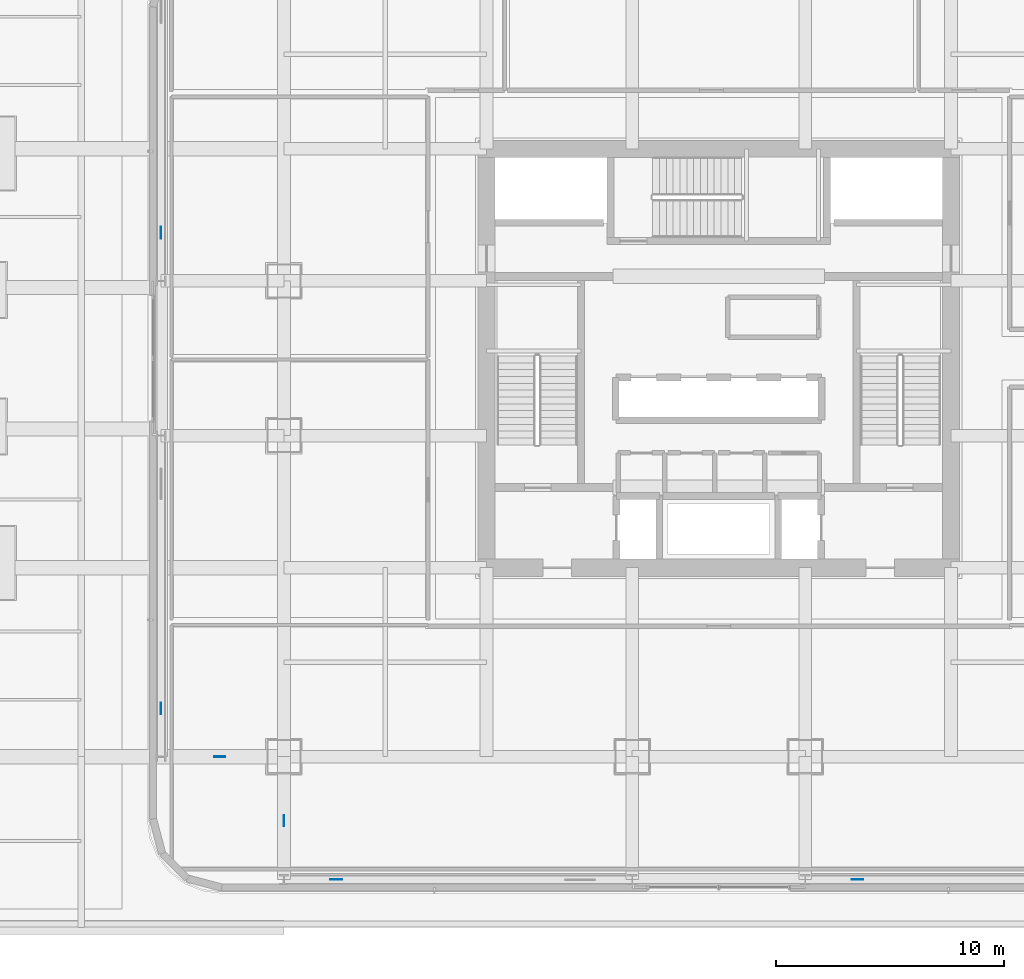
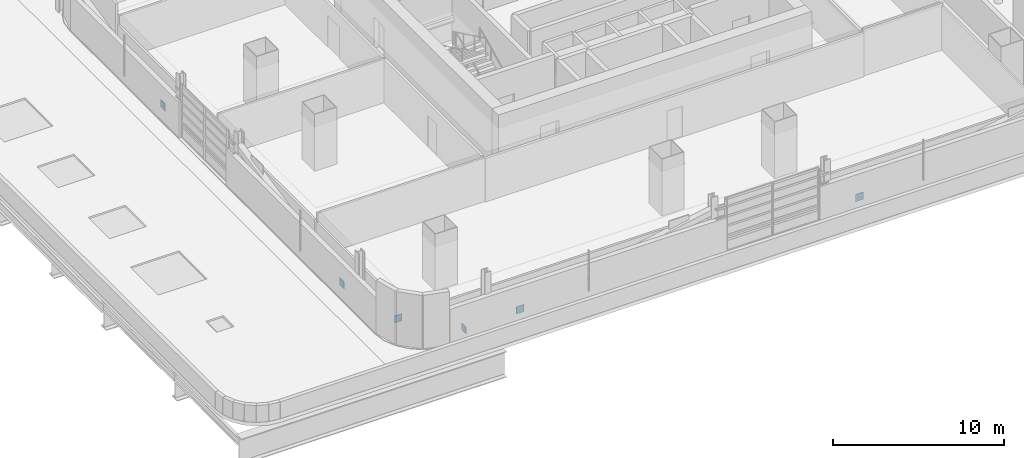
# One storey, part 11 of 30: 6 plates.
"""IFC4 building model written with IfcOpenShell, lengths in metres."""

import ifcopenshell
import ifcopenshell.guid

model = None  # the IFC model being written
_history = None  # IfcOwnerHistory: only IFC2X3 demands one
_inside = {}  # id of a spatial element -> (the spatial element, [elements in it])
_under = {}  # id of a project, library or spatial element -> (it, [spatial elements below it])
_declared = {}  # id of a project -> (the project, [libraries it declares])
_typed = {}  # id of a type object -> (the type object, [elements of that type])
_made_of = {}  # id of a material, layer set ... -> (it, [elements and type objects made of it])


def new_model(schema):
    """Start an empty IFC model of exactly this schema.

    Asked for "IFC4X3", IfcOpenShell would pick the latest addendum, in which some entities
    have other attributes; the version numbers below select the first issue.
    IFC2X3 requires an IfcOwnerHistory on every rooted entity: one is made here for all.
    """
    global model, _history
    if schema == "IFC4X3":
        model = ifcopenshell.file(schema_version=(4, 3, 0, 0))
    else:
        model = ifcopenshell.file(schema=schema)
    _inside.clear()
    _under.clear()
    _declared.clear()
    _typed.clear()
    _made_of.clear()
    _history = None
    if model.schema == "IFC2X3":
        org = make("IfcOrganization", Name="unknown")
        user = make(
            "IfcPersonAndOrganization",
            ThePerson=make("IfcPerson", FamilyName="unknown"),
            TheOrganization=org,
        )
        app = make(
            "IfcApplication",
            ApplicationDeveloper=org,
            Version="unknown",
            ApplicationFullName="unknown",
            ApplicationIdentifier="unknown",
        )
        _history = make(
            "IfcOwnerHistory",
            OwningUser=user,
            OwningApplication=app,
            ChangeAction="ADDED",
            CreationDate=0,
        )
    return model


def make(cls, **values):
    """One entity of the class cls with the attributes given. An attribute that is None is left unset."""
    return model.create_entity(
        cls, **{name: value for name, value in values.items() if value is not None}
    )


def rooted(cls, **values):
    """An entity with a GlobalId (a new one), such as an element, a storey or a relation."""
    return make(cls, GlobalId=ifcopenshell.guid.new(), OwnerHistory=_history, **values)


def si_unit(unit_type, name, prefix=None):
    """IfcSIUnit, for example si_unit("LENGTHUNIT", "METRE", prefix="MILLI")."""
    return make("IfcSIUnit", UnitType=unit_type, Prefix=prefix, Name=name)


def assignment(units):
    """IfcUnitAssignment: the units of a project."""
    return None if units is None else make("IfcUnitAssignment", Units=units)


def point(xyz):
    """IfcCartesianPoint."""
    return None if xyz is None else make("IfcCartesianPoint", Coordinates=xyz)


def direction(xyz):
    """IfcDirection."""
    return None if xyz is None else make("IfcDirection", DirectionRatios=xyz)


def frame(location, z_axis=None, x_axis=None):
    """IfcAxis2Placement3D, a coordinate frame: its origin and axes. An axis left out is left unset."""
    return make(
        "IfcAxis2Placement3D",
        Location=point(location),
        Axis=direction(z_axis),
        RefDirection=direction(x_axis),
    )


def frame_2d(location, x_axis=None):
    """IfcAxis2Placement2D, a coordinate frame in the plane: its origin and x axis."""
    return make(
        "IfcAxis2Placement2D", Location=point(location), RefDirection=direction(x_axis)
    )


def origin():
    """The frame at (0, 0, 0) with its axes left unset."""
    return frame((0.0, 0.0, 0.0))


def origin_2d():
    """The frame at (0, 0) in the plane with its x axis left unset."""
    return frame_2d((0.0, 0.0))


def place(relative_to, where):
    """IfcLocalPlacement: puts the frame where relative to a parent placement (None: the world)."""
    return make(
        "IfcLocalPlacement", PlacementRelTo=relative_to, RelativePlacement=where
    )


def context(
    kind, dimensions, precision=None, world=None, true_north=None, identifier=None
):
    """IfcGeometricRepresentationContext, for example the 3D "Model" context."""
    return make(
        "IfcGeometricRepresentationContext",
        ContextIdentifier=identifier,
        ContextType=kind,
        CoordinateSpaceDimension=dimensions,
        Precision=precision,
        WorldCoordinateSystem=world,
        TrueNorth=true_north,
    )


def subcontext(parent, identifier, kind, view, scale=None):
    """IfcGeometricRepresentationSubContext, for example "Body" below "Model"."""
    return make(
        "IfcGeometricRepresentationSubContext",
        ContextIdentifier=identifier,
        ContextType=kind,
        ParentContext=parent,
        TargetScale=scale,
        TargetView=view,
    )


def project(units=None, contexts=None):
    """IfcProject with its units and contexts."""
    return rooted(
        "IfcProject",
        Name="project",
        RepresentationContexts=contexts,
        UnitsInContext=assignment(units),
    )


def spatial(cls, under=None, at=None, **own):
    """A site, building, storey or space (cls), placed at a placement, below another one or the project."""
    s = rooted(cls, ObjectPlacement=at, **own)
    if under is not None:
        _under.setdefault(under.id(), (under, []))[1].append(s)
    return s


def profile(cls, at=None, kind="AREA", **sizes):
    """A parametric profile (cls). Its sizes go by their IFC names, for example OverallWidth=200.0."""
    return make(cls, ProfileType=kind, Position=at, **sizes)


def rectangle(**sizes):
    """IfcRectangleProfileDef."""
    return profile("IfcRectangleProfileDef", **sizes)


def extrude(swept, where, along, depth):
    """IfcExtrudedAreaSolid: the profile swept, set in the frame where, extruded along a direction by depth."""
    return make(
        "IfcExtrudedAreaSolid",
        SweptArea=swept,
        Position=where,
        ExtrudedDirection=direction(along),
        Depth=depth,
    )


def shape(context_of_items, identifier, shape_type, items):
    """IfcShapeRepresentation: the items that make up one representation, for example the "Body"."""
    return make(
        "IfcShapeRepresentation",
        ContextOfItems=context_of_items,
        RepresentationIdentifier=identifier,
        RepresentationType=shape_type,
        Items=items,
    )


def material(Name=None, Category=None):
    """IfcMaterial."""
    return make("IfcMaterial", Name=Name, Category=Category)


def layer(
    of_material, thickness, ventilated=None, Name=None, Category=None, Priority=None
):
    """IfcMaterialLayer: one layer of a wall or slab, of a material (None: an air gap)."""
    return make(
        "IfcMaterialLayer",
        Material=of_material,
        LayerThickness=thickness,
        IsVentilated=ventilated,
        Name=Name,
        Category=Category,
        Priority=Priority,
    )


def layer_set(layers, Name=None):
    """IfcMaterialLayerSet."""
    return make("IfcMaterialLayerSet", MaterialLayers=layers, LayerSetName=Name)


def made_of(thing, what):
    """Note that an element or type object is made of a material, layer set ...; save() writes the relation."""
    if what is not None:
        _made_of.setdefault(what.id(), (what, []))[1].append(thing)
    return thing


def type_object(cls, material=None, **own):
    """A type object (cls), such as IfcWallType, which elements share."""
    return made_of(rooted(cls, **own), material)


def element(
    cls,
    number,
    at=None,
    inside=None,
    cuts=None,
    type_object=None,
    material=None,
    context=None,
    identifier="Body",
    shape_type=None,
    held_by="IfcProductDefinitionShape",
    body=None,
    shapes=None,
    **own,
):
    """One element of the class cls, such as IfcWall. Its Tag is "e" and its number.

    at: its placement. inside: the storey or other place that contains it. cuts: it is an
    opening in that element (IfcRelVoidsElement). A single representation is given by context,
    identifier, shape_type and body (its items); several are given by shapes. held_by: the class
    of the entity that holds the representations. save() writes the other relations.
    """
    e = rooted(cls, Tag="e%d" % number, ObjectPlacement=at, **own)
    if body is not None:
        shapes = [shape(context, identifier, shape_type, body)]
    if shapes is not None:
        e.Representation = make(held_by, Representations=shapes)
    if inside is not None:
        _inside.setdefault(inside.id(), (inside, []))[1].append(e)
    if cuts is not None:
        rooted(
            "IfcRelVoidsElement", RelatingBuildingElement=cuts, RelatedOpeningElement=e
        )
    if type_object is not None:
        _typed.setdefault(type_object.id(), (type_object, []))[1].append(e)
    return made_of(e, material)


def aggregate(whole, parts):
    """IfcRelAggregates: a whole, such as a stair, and the parts it consists of."""
    return rooted("IfcRelAggregates", RelatingObject=whole, RelatedObjects=parts)


def save(model, path):
    """Write the relations noted so far, then the file.

    IfcRelAggregates (storeys below a building ...), IfcRelContainedInSpatialStructure (elements
    in a storey), IfcRelDefinesByType, IfcRelAssociatesMaterial and IfcRelDeclares: one each for
    every whole, place, type object, material and project.
    """
    for whole, parts in _under.values():
        aggregate(whole, parts)
    for where, things in _inside.values():
        rooted(
            "IfcRelContainedInSpatialStructure",
            RelatedElements=things,
            RelatingStructure=where,
        )
    for kind, things in _typed.values():
        rooted("IfcRelDefinesByType", RelatedObjects=things, RelatingType=kind)
    for what, things in _made_of.values():
        rooted("IfcRelAssociatesMaterial", RelatedObjects=things, RelatingMaterial=what)
    for by, libraries in _declared.values():
        rooted("IfcRelDeclares", RelatingContext=by, RelatedDefinitions=libraries)
    model.write(path)


model = new_model("IFC4")

# Units and contexts
model_context = context("Model", 3, precision=1e-05, world=origin(), true_north=direction((0.0, 1.0)))
body_context = subcontext(model_context, "Body", "Model", "MODEL_VIEW")
ifc_project = project(units=[si_unit("LENGTHUNIT", "METRE"), si_unit("AREAUNIT", "SQUARE_METRE"), si_unit("VOLUMEUNIT", "CUBIC_METRE"), si_unit("PLANEANGLEUNIT", "RADIAN"), si_unit("MASSUNIT", "GRAM", prefix="KILO")], contexts=[model_context])

# Site, building, storey
site_placement = place(None, origin())
site = spatial("IfcSite", under=ifc_project, at=site_placement, CompositionType="ELEMENT")
building_placement = place(site_placement, origin())
building = spatial("IfcBuilding", under=site, at=building_placement, Name="Punatoya Terracotta Tower", CompositionType="ELEMENT")
storey_placement = place(building_placement, frame((0.0, 0.0, 28.199951171875)))
storey = spatial("IfcBuildingStorey", under=building, at=storey_placement, Name="L05", CompositionType="ELEMENT", Elevation=28.199951171875)

# Plates
ifc_material = material(Name="Steel S460", Category="steel")
ifc_layer = layer(ifc_material, 0.031982421875)
ifc_layer_set = layer_set([ifc_layer], Name="Steel S460")
plate_type = type_object("IfcPlateType", Name="PLT-END-32", PredefinedType="USERDEFINED", material=ifc_layer_set)
for number, where, z_axis, x_axis, name in (
    (1, (-16.804931640625, -22.89990234375, 0.20849609375), (0.0, 0.0, 1.0), (1.0, 0.0, 0.0), "L05 Exoskeleton Base Node Plate S1"),
    (2, (6.094970703125, -22.89990234375, 0.20849609375), (0.0, 0.0, 1.0), (1.0, 0.0, 0.0), "L05 Exoskeleton Base Node Plate S3"),
    (3, (-24.5, -15.385009765625, 0.20849609375), (0.0, 0.0, 1.0), (0.0, 1.0, 0.0), "L05 Exoskeleton Base Node Plate W1"),
    (4, (-24.5, 5.514892578125, 0.20849609375), (0.0, 0.0, 1.0), (0.0, 1.0, 0.0), "L05 Exoskeleton Base Node Plate W3"),
):
    element("IfcPlate", number, at=place(storey_placement, frame(where, z_axis=z_axis, x_axis=x_axis)), inside=storey, type_object=plate_type, Name=name, ObjectType="FLANGE_PLATE", PredefinedType="USERDEFINED", context=body_context, shape_type="SweptSolid", body=[
        extrude(rectangle(XDim=0.52001953125, YDim=0.031982421875, at=origin_2d()), origin(), (0.0, 0.0, 1.0), 0.52001953125),
    ])
for number, where, z_axis, x_axis, name in (
    (5, (-21.916015625, -17.5, -1.91796875), (0.0, 0.0, 1.0), (1.0, 0.0, 0.0), "L05 Knee-Strut Upper End Cap Plate W1"),
    (6, (-19.10009765625, -20.31591796875, -1.91796875), (0.0, 0.0, 1.0), (0.0, 1.0, 0.0), "L05 Knee-Strut Upper End Cap Plate S1"),
):
    element("IfcPlate", number, at=place(storey_placement, frame(where, z_axis=z_axis, x_axis=x_axis)), inside=storey, type_object=plate_type, Name=name, ObjectType="FLANGE_PLATE", PredefinedType="USERDEFINED", context=body_context, shape_type="SweptSolid", body=[
        extrude(rectangle(XDim=0.5, YDim=0.031982421875, at=origin_2d()), origin(), (0.0, 0.0, 1.0), 0.5),
    ])

save(model, "model.ifc")
